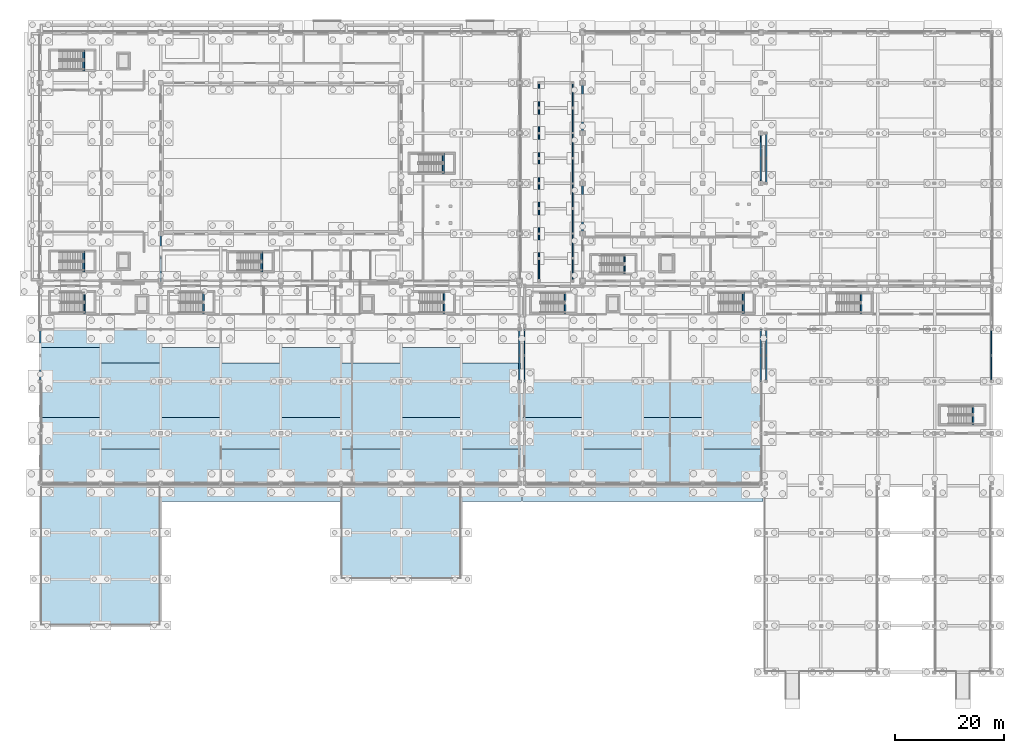
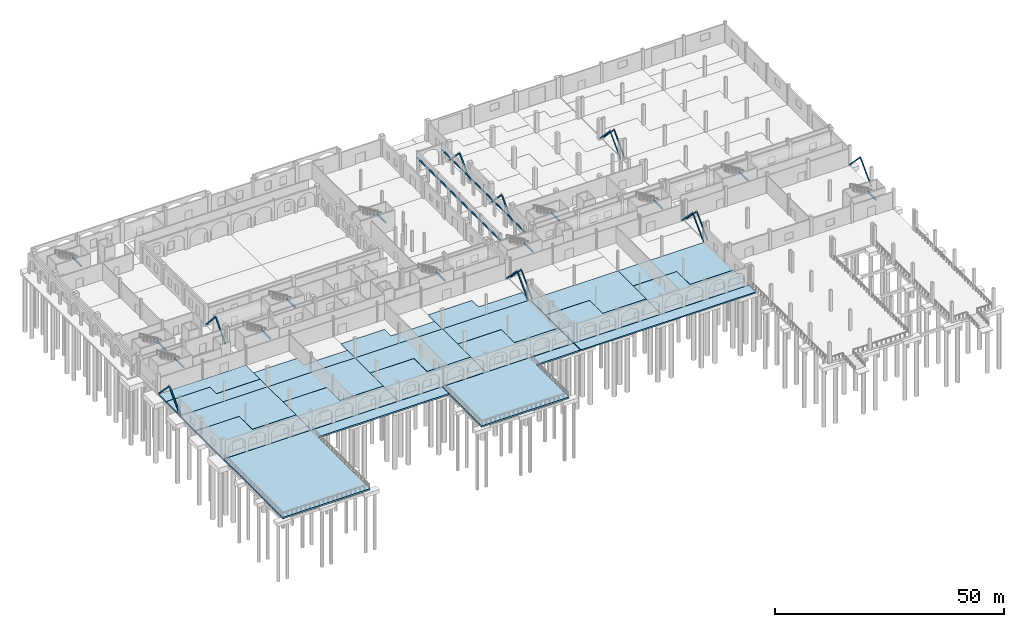
# One storey, part 36 of 83: 28 beams, 22 members, 20 slabs.
"""IFC4 building model written with IfcOpenShell, lengths in metres."""

import ifcopenshell
import ifcopenshell.guid

model = None  # the IFC model being written
_history = None  # IfcOwnerHistory: only IFC2X3 demands one
_inside = {}  # id of a spatial element -> (the spatial element, [elements in it])
_under = {}  # id of a project, library or spatial element -> (it, [spatial elements below it])
_declared = {}  # id of a project -> (the project, [libraries it declares])
_typed = {}  # id of a type object -> (the type object, [elements of that type])
_made_of = {}  # id of a material, layer set ... -> (it, [elements and type objects made of it])


def new_model(schema):
    """Start an empty IFC model of exactly this schema.

    Asked for "IFC4X3", IfcOpenShell would pick the latest addendum, in which some entities
    have other attributes; the version numbers below select the first issue.
    IFC2X3 requires an IfcOwnerHistory on every rooted entity: one is made here for all.
    """
    global model, _history
    if schema == "IFC4X3":
        model = ifcopenshell.file(schema_version=(4, 3, 0, 0))
    else:
        model = ifcopenshell.file(schema=schema)
    _inside.clear()
    _under.clear()
    _declared.clear()
    _typed.clear()
    _made_of.clear()
    _history = None
    if model.schema == "IFC2X3":
        org = make("IfcOrganization", Name="unknown")
        user = make(
            "IfcPersonAndOrganization",
            ThePerson=make("IfcPerson", FamilyName="unknown"),
            TheOrganization=org,
        )
        app = make(
            "IfcApplication",
            ApplicationDeveloper=org,
            Version="unknown",
            ApplicationFullName="unknown",
            ApplicationIdentifier="unknown",
        )
        _history = make(
            "IfcOwnerHistory",
            OwningUser=user,
            OwningApplication=app,
            ChangeAction="ADDED",
            CreationDate=0,
        )
    return model


def make(cls, **values):
    """One entity of the class cls with the attributes given. An attribute that is None is left unset."""
    return model.create_entity(
        cls, **{name: value for name, value in values.items() if value is not None}
    )


def rooted(cls, **values):
    """An entity with a GlobalId (a new one), such as an element, a storey or a relation."""
    return make(cls, GlobalId=ifcopenshell.guid.new(), OwnerHistory=_history, **values)


def si_unit(unit_type, name, prefix=None):
    """IfcSIUnit, for example si_unit("LENGTHUNIT", "METRE", prefix="MILLI")."""
    return make("IfcSIUnit", UnitType=unit_type, Prefix=prefix, Name=name)


def assignment(units):
    """IfcUnitAssignment: the units of a project."""
    return None if units is None else make("IfcUnitAssignment", Units=units)


def point(xyz):
    """IfcCartesianPoint."""
    return None if xyz is None else make("IfcCartesianPoint", Coordinates=xyz)


def direction(xyz):
    """IfcDirection."""
    return None if xyz is None else make("IfcDirection", DirectionRatios=xyz)


def frame(location, z_axis=None, x_axis=None):
    """IfcAxis2Placement3D, a coordinate frame: its origin and axes. An axis left out is left unset."""
    return make(
        "IfcAxis2Placement3D",
        Location=point(location),
        Axis=direction(z_axis),
        RefDirection=direction(x_axis),
    )


def frame_2d(location, x_axis=None):
    """IfcAxis2Placement2D, a coordinate frame in the plane: its origin and x axis."""
    return make(
        "IfcAxis2Placement2D", Location=point(location), RefDirection=direction(x_axis)
    )


def origin():
    """The frame at (0, 0, 0) with its axes left unset."""
    return frame((0.0, 0.0, 0.0))


def origin_2d():
    """The frame at (0, 0) in the plane with its x axis left unset."""
    return frame_2d((0.0, 0.0))


def place(relative_to, where):
    """IfcLocalPlacement: puts the frame where relative to a parent placement (None: the world)."""
    return make(
        "IfcLocalPlacement", PlacementRelTo=relative_to, RelativePlacement=where
    )


def context(
    kind, dimensions, precision=None, world=None, true_north=None, identifier=None
):
    """IfcGeometricRepresentationContext, for example the 3D "Model" context."""
    return make(
        "IfcGeometricRepresentationContext",
        ContextIdentifier=identifier,
        ContextType=kind,
        CoordinateSpaceDimension=dimensions,
        Precision=precision,
        WorldCoordinateSystem=world,
        TrueNorth=true_north,
    )


def subcontext(parent, identifier, kind, view, scale=None):
    """IfcGeometricRepresentationSubContext, for example "Body" below "Model"."""
    return make(
        "IfcGeometricRepresentationSubContext",
        ContextIdentifier=identifier,
        ContextType=kind,
        ParentContext=parent,
        TargetScale=scale,
        TargetView=view,
    )


def project(units=None, contexts=None):
    """IfcProject with its units and contexts."""
    return rooted(
        "IfcProject",
        Name="project",
        RepresentationContexts=contexts,
        UnitsInContext=assignment(units),
    )


def spatial(cls, under=None, at=None, **own):
    """A site, building, storey or space (cls), placed at a placement, below another one or the project."""
    s = rooted(cls, ObjectPlacement=at, **own)
    if under is not None:
        _under.setdefault(under.id(), (under, []))[1].append(s)
    return s


def polyline(points):
    """IfcPolyline through the points."""
    return make("IfcPolyline", Points=[point(p) for p in points])


def profile(cls, at=None, kind="AREA", **sizes):
    """A parametric profile (cls). Its sizes go by their IFC names, for example OverallWidth=200.0."""
    return make(cls, ProfileType=kind, Position=at, **sizes)


def rectangle(**sizes):
    """IfcRectangleProfileDef."""
    return profile("IfcRectangleProfileDef", **sizes)


def hollow_rectangle(**sizes):
    """IfcRectangleHollowProfileDef."""
    return profile("IfcRectangleHollowProfileDef", **sizes)


def outline(outer, holes=None, kind="AREA"):
    """IfcArbitraryClosedProfileDef: a profile drawn as a closed curve; with holes, ...WithVoids."""
    if holes is None:
        return make("IfcArbitraryClosedProfileDef", ProfileType=kind, OuterCurve=outer)
    return make(
        "IfcArbitraryProfileDefWithVoids",
        ProfileType=kind,
        OuterCurve=outer,
        InnerCurves=holes,
    )


def extrude(swept, where, along, depth):
    """IfcExtrudedAreaSolid: the profile swept, set in the frame where, extruded along a direction by depth."""
    return make(
        "IfcExtrudedAreaSolid",
        SweptArea=swept,
        Position=where,
        ExtrudedDirection=direction(along),
        Depth=depth,
    )


def shape(context_of_items, identifier, shape_type, items):
    """IfcShapeRepresentation: the items that make up one representation, for example the "Body"."""
    return make(
        "IfcShapeRepresentation",
        ContextOfItems=context_of_items,
        RepresentationIdentifier=identifier,
        RepresentationType=shape_type,
        Items=items,
    )


def material(Name=None, Category=None):
    """IfcMaterial."""
    return make("IfcMaterial", Name=Name, Category=Category)


def layer(
    of_material, thickness, ventilated=None, Name=None, Category=None, Priority=None
):
    """IfcMaterialLayer: one layer of a wall or slab, of a material (None: an air gap)."""
    return make(
        "IfcMaterialLayer",
        Material=of_material,
        LayerThickness=thickness,
        IsVentilated=ventilated,
        Name=Name,
        Category=Category,
        Priority=Priority,
    )


def layer_set(layers, Name=None):
    """IfcMaterialLayerSet."""
    return make("IfcMaterialLayerSet", MaterialLayers=layers, LayerSetName=Name)


def material_profile(
    of_material, cross_section, Name=None, Category=None, Priority=None
):
    """IfcMaterialProfile: a cross section and its material."""
    return make(
        "IfcMaterialProfile",
        Name=Name,
        Material=of_material,
        Profile=cross_section,
        Priority=Priority,
        Category=Category,
    )


def profile_set(profiles, Name=None, composite=None):
    """IfcMaterialProfileSet."""
    return make(
        "IfcMaterialProfileSet",
        Name=Name,
        MaterialProfiles=profiles,
        CompositeProfile=composite,
    )


def made_of(thing, what):
    """Note that an element or type object is made of a material, layer set ...; save() writes the relation."""
    if what is not None:
        _made_of.setdefault(what.id(), (what, []))[1].append(thing)
    return thing


def type_object(cls, material=None, **own):
    """A type object (cls), such as IfcWallType, which elements share."""
    return made_of(rooted(cls, **own), material)


def element(
    cls,
    number,
    at=None,
    inside=None,
    cuts=None,
    type_object=None,
    material=None,
    context=None,
    identifier="Body",
    shape_type=None,
    held_by="IfcProductDefinitionShape",
    body=None,
    shapes=None,
    **own,
):
    """One element of the class cls, such as IfcWall. Its Tag is "e" and its number.

    at: its placement. inside: the storey or other place that contains it. cuts: it is an
    opening in that element (IfcRelVoidsElement). A single representation is given by context,
    identifier, shape_type and body (its items); several are given by shapes. held_by: the class
    of the entity that holds the representations. save() writes the other relations.
    """
    e = rooted(cls, Tag="e%d" % number, ObjectPlacement=at, **own)
    if body is not None:
        shapes = [shape(context, identifier, shape_type, body)]
    if shapes is not None:
        e.Representation = make(held_by, Representations=shapes)
    if inside is not None:
        _inside.setdefault(inside.id(), (inside, []))[1].append(e)
    if cuts is not None:
        rooted(
            "IfcRelVoidsElement", RelatingBuildingElement=cuts, RelatedOpeningElement=e
        )
    if type_object is not None:
        _typed.setdefault(type_object.id(), (type_object, []))[1].append(e)
    return made_of(e, material)


def aggregate(whole, parts):
    """IfcRelAggregates: a whole, such as a stair, and the parts it consists of."""
    return rooted("IfcRelAggregates", RelatingObject=whole, RelatedObjects=parts)


def save(model, path):
    """Write the relations noted so far, then the file.

    IfcRelAggregates (storeys below a building ...), IfcRelContainedInSpatialStructure (elements
    in a storey), IfcRelDefinesByType, IfcRelAssociatesMaterial and IfcRelDeclares: one each for
    every whole, place, type object, material and project.
    """
    for whole, parts in _under.values():
        aggregate(whole, parts)
    for where, things in _inside.values():
        rooted(
            "IfcRelContainedInSpatialStructure",
            RelatedElements=things,
            RelatingStructure=where,
        )
    for kind, things in _typed.values():
        rooted("IfcRelDefinesByType", RelatedObjects=things, RelatingType=kind)
    for what, things in _made_of.values():
        rooted("IfcRelAssociatesMaterial", RelatedObjects=things, RelatingMaterial=what)
    for by, libraries in _declared.values():
        rooted("IfcRelDeclares", RelatingContext=by, RelatedDefinitions=libraries)
    model.write(path)


model = new_model("IFC4")

# Units and contexts
model_context = context("Model", 3, precision=1e-05, world=origin(), true_north=direction((0.0, 1.0)))
body_context = subcontext(model_context, "Body", "Model", "MODEL_VIEW")
ifc_project = project(units=[si_unit("LENGTHUNIT", "METRE"), si_unit("AREAUNIT", "SQUARE_METRE"), si_unit("VOLUMEUNIT", "CUBIC_METRE"), si_unit("PLANEANGLEUNIT", "RADIAN"), si_unit("MASSUNIT", "GRAM", prefix="KILO")], contexts=[model_context])

# Site, building, storey
site_placement = place(None, origin())
site = spatial("IfcSite", under=ifc_project, at=site_placement, CompositionType="ELEMENT")
building_placement = place(site_placement, origin())
building = spatial("IfcBuilding", under=site, at=building_placement, Name="Caurita Quay Ferry Terminal", CompositionType="ELEMENT")
storey_placement = place(building_placement, origin())
storey = spatial("IfcBuildingStorey", under=building, at=storey_placement, Name="L00", CompositionType="ELEMENT", Elevation=0.0)

# Beams
ifc_material_1 = material(Name="Reinforced concrete C35/45", Category="concrete")
ifc_material_profile_1 = material_profile(ifc_material_1, rectangle(XDim=0.25, YDim=0.300048828125, at=origin_2d()), Name="RC-LN-250X300")
ifc_profile_set_1 = profile_set([ifc_material_profile_1], Name="Reinforced concrete C35/45")
beam_type_1 = type_object("IfcBeamType", Name="LN-RC-2530", PredefinedType="LINTEL", material=ifc_profile_set_1)
beam_1_placement = place(storey_placement, frame((97.39990234375, 71.60009765625, 3.64990234375), z_axis=(0.0, 1.0, 0.0), x_axis=(-1.0, 0.0, 0.0)))
element("IfcBeam", 1, at=beam_1_placement, inside=storey, type_object=beam_type_1, Name="Forecourt Portico Architrave Lintel LNT-09", PredefinedType="LINTEL", context=body_context, shape_type="SweptSolid", body=[
    extrude(rectangle(XDim=0.25, YDim=0.300048828125, at=origin_2d()), origin(), (0.0, 0.0, 1.0), 4.099853515625),
])
beam_2_placement = place(storey_placement, frame((97.39990234375, 75.699951171875, 3.64990234375), z_axis=(0.0, 1.0, 0.0), x_axis=(-1.0, 0.0, 0.0)))
element("IfcBeam", 2, at=beam_2_placement, inside=storey, type_object=beam_type_1, Name="Forecourt Portico Architrave Lintel LNT-10", PredefinedType="LINTEL", context=body_context, shape_type="SweptSolid", body=[
    extrude(rectangle(XDim=0.25, YDim=0.300048828125, at=origin_2d()), origin(), (0.0, 0.0, 1.0), 4.5),
])
beam_3_placement = place(storey_placement, frame((97.39990234375, 80.199951171875, 3.64990234375), z_axis=(0.0, 1.0, 0.0), x_axis=(-1.0, 0.0, 0.0)))
element("IfcBeam", 3, at=beam_3_placement, inside=storey, type_object=beam_type_1, Name="Forecourt Portico Architrave Lintel LNT-11", PredefinedType="LINTEL", context=body_context, shape_type="SweptSolid", body=[
    extrude(rectangle(XDim=0.25, YDim=0.300048828125, at=origin_2d()), origin(), (0.0, 0.0, 1.0), 4.60009765625),
])
beam_4_placement = place(storey_placement, frame((97.39990234375, 84.800048828125, 3.64990234375), z_axis=(0.0, 1.0, 0.0), x_axis=(-1.0, 0.0, 0.0)))
element("IfcBeam", 4, at=beam_4_placement, inside=storey, type_object=beam_type_1, Name="Forecourt Portico Architrave Lintel LNT-12", PredefinedType="LINTEL", context=body_context, shape_type="SweptSolid", body=[
    extrude(rectangle(XDim=0.25, YDim=0.300048828125, at=origin_2d()), origin(), (0.0, 0.0, 1.0), 4.599853515625),
])
for number, where, z_axis, x_axis, name in (
    (5, (97.39990234375, 89.39990234375, 3.64990234375), (0.0, 1.0, 0.0), (-1.0, 0.0, 0.0), "Forecourt Portico Architrave Lintel LNT-13"),
    (6, (97.39990234375, 94.0, 3.64990234375), (0.0, 1.0, 0.0), (-1.0, 0.0, 0.0), "Forecourt Portico Architrave Lintel LNT-14"),
):
    element("IfcBeam", number, at=place(storey_placement, frame(where, z_axis=z_axis, x_axis=x_axis)), inside=storey, type_object=beam_type_1, Name=name, PredefinedType="LINTEL", context=body_context, shape_type="SweptSolid", body=[
        extrude(rectangle(XDim=0.25, YDim=0.300048828125, at=origin_2d()), origin(), (0.0, 0.0, 1.0), 4.60009765625),
    ])
beam_5_placement = place(storey_placement, frame((97.39990234375, 98.60009765625, 3.64990234375), z_axis=(0.0, 1.0, 0.0), x_axis=(-1.0, 0.0, 0.0)))
element("IfcBeam", 7, at=beam_5_placement, inside=storey, type_object=beam_type_1, Name="Forecourt Portico Architrave Lintel LNT-15", PredefinedType="LINTEL", context=body_context, shape_type="SweptSolid", body=[
    extrude(rectangle(XDim=0.25, YDim=0.300048828125, at=origin_2d()), origin(), (0.0, 0.0, 1.0), 4.599853515625),
])
beam_6_placement = place(storey_placement, frame((97.39990234375, 103.199951171875, 3.64990234375), z_axis=(0.0, 1.0, 0.0), x_axis=(-1.0, 0.0, 0.0)))
element("IfcBeam", 8, at=beam_6_placement, inside=storey, type_object=beam_type_1, Name="Forecourt Portico Architrave Lintel LNT-16", PredefinedType="LINTEL", context=body_context, shape_type="SweptSolid", body=[
    extrude(rectangle(XDim=0.25, YDim=0.300048828125, at=origin_2d()), origin(), (0.0, 0.0, 1.0), 4.60009765625),
])
ifc_material_profile_2 = material_profile(ifc_material_1, rectangle(XDim=0.300048828125, YDim=0.35009765625, at=origin_2d()), Name="RC-LN-300X350")
ifc_profile_set_2 = profile_set([ifc_material_profile_2], Name="Reinforced concrete C35/45")
beam_type_2 = type_object("IfcBeamType", Name="LN-RC-3035", PredefinedType="LINTEL", material=ifc_profile_set_2)
for number, where, z_axis, x_axis, name in (
    (9, (7.949951171875, 110.050048828125, 2.52490234375), (0.0, 1.0, 0.0), (-1.0, 0.0, 0.0), "L00 Stair ST-01 Half-Landing Beam 1"),
    (10, (7.949951171875, 73.25, 2.52490234375), (0.0, 1.0, 0.0), (-1.0, 0.0, 0.0), "L00 Stair ST-02 Half-Landing Beam 1"),
):
    element("IfcBeam", number, at=place(storey_placement, frame(where, z_axis=z_axis, x_axis=x_axis)), inside=storey, type_object=beam_type_2, Name=name, PredefinedType="LINTEL", context=body_context, shape_type="SweptSolid", body=[
        extrude(rectangle(XDim=0.300048828125, YDim=0.35009765625, at=origin_2d()), origin(), (0.0, 0.0, 1.0), 3.760009765625),
    ])
for number, where, z_axis, x_axis, name in (
    (11, (40.5, 73.25, 2.52490234375), (0.0, 1.0, 0.0), (-1.0, 0.0, 0.0), "L00 Stair ST-03 Half-Landing Beam 1"),
    (12, (73.699951171875, 91.25, 2.52490234375), (0.0, 1.0, 0.0), (-1.0, 0.0, 0.0), "L00 Stair ST-04 Half-Landing Beam 1"),
):
    element("IfcBeam", number, at=place(storey_placement, frame(where, z_axis=z_axis, x_axis=x_axis)), inside=storey, type_object=beam_type_2, Name=name, PredefinedType="LINTEL", context=body_context, shape_type="SweptSolid", body=[
        extrude(rectangle(XDim=0.300048828125, YDim=0.35009765625, at=origin_2d()), origin(), (0.0, 0.0, 1.0), 3.659912109375),
    ])
for number, where, z_axis, x_axis, name in (
    (13, (8.050048828125, 65.64990234375, 2.52490234375), (0.0, 1.0, 0.0), (-1.0, 0.0, 0.0), "L00 Stair ST-05 Half-Landing Beam 1"),
    (14, (29.85009765625, 65.64990234375, 2.52490234375), (0.0, 1.0, 0.0), (-1.0, 0.0, 0.0), "L00 Stair ST-06 Half-Landing Beam 1"),
    (15, (73.85009765625, 65.64990234375, 2.52490234375), (0.0, 1.0, 0.0), (-1.0, 0.0, 0.0), "L00 Stair ST-07 Half-Landing Beam 1"),
):
    element("IfcBeam", number, at=place(storey_placement, frame(where, z_axis=z_axis, x_axis=x_axis)), inside=storey, type_object=beam_type_2, Name=name, PredefinedType="LINTEL", context=body_context, shape_type="SweptSolid", body=[
        extrude(rectangle(XDim=0.300048828125, YDim=0.35009765625, at=origin_2d()), origin(), (0.0, 0.0, 1.0), 3.960205078125),
    ])
for number, where, z_axis, x_axis, name in (
    (16, (96.0, 65.64990234375, 2.52490234375), (0.0, 1.0, 0.0), (-1.0, 0.0, 0.0), "L00 Stair ST-08 Half-Landing Beam 1"),
    (17, (128.60009765625, 65.64990234375, 2.52490234375), (0.0, 1.0, 0.0), (-1.0, 0.0, 0.0), "L00 Stair ST-09 Half-Landing Beam 1"),
):
    element("IfcBeam", number, at=place(storey_placement, frame(where, z_axis=z_axis, x_axis=x_axis)), inside=storey, type_object=beam_type_2, Name=name, PredefinedType="LINTEL", context=body_context, shape_type="SweptSolid", body=[
        extrude(rectangle(XDim=0.300048828125, YDim=0.35009765625, at=origin_2d()), origin(), (0.0, 0.0, 1.0), 3.860107421875),
    ])
beam_7_placement = place(storey_placement, frame((150.14990234375, 65.64990234375, 2.52490234375), z_axis=(0.0, 1.0, 0.0), x_axis=(-1.0, 0.0, 0.0)))
element("IfcBeam", 18, at=beam_7_placement, inside=storey, type_object=beam_type_2, Name="L00 Stair ST-10 Half-Landing Beam 1", PredefinedType="LINTEL", context=body_context, shape_type="SweptSolid", body=[
    extrude(rectangle(XDim=0.300048828125, YDim=0.35009765625, at=origin_2d()), origin(), (0.0, 0.0, 1.0), 3.760009765625),
])
beam_8_placement = place(storey_placement, frame((170.64990234375, 45.25, 2.52490234375), z_axis=(0.0, 1.0, 0.0), x_axis=(-1.0, 0.0, 0.0)))
element("IfcBeam", 19, at=beam_8_placement, inside=storey, type_object=beam_type_2, Name="L00 Stair ST-11 Half-Landing Beam 1", PredefinedType="LINTEL", context=body_context, shape_type="SweptSolid", body=[
    extrude(rectangle(XDim=0.300048828125, YDim=0.35009765625, at=origin_2d()), origin(), (0.0, 0.0, 1.0), 3.56005859375),
])
beam_9_placement = place(storey_placement, frame((106.85009765625, 72.85009765625, 2.52490234375), z_axis=(0.0, 1.0, 0.0), x_axis=(-1.0, 0.0, 0.0)))
element("IfcBeam", 20, at=beam_9_placement, inside=storey, type_object=beam_type_2, Name="L00 Stair ST-12 Half-Landing Beam 1", PredefinedType="LINTEL", context=body_context, shape_type="SweptSolid", body=[
    extrude(rectangle(XDim=0.300048828125, YDim=0.35009765625, at=origin_2d()), origin(), (0.0, 0.0, 1.0), 3.559814453125),
])
beam_10_placement = place(storey_placement, frame((91.199951171875, 71.60009765625, 3.64990234375), z_axis=(0.0, 1.0, 0.0), x_axis=(-1.0, 0.0, 0.0)))
element("IfcBeam", 21, at=beam_10_placement, inside=storey, type_object=beam_type_2, Name="Forecourt Portico Architrave Lintel LNT-01", PredefinedType="LINTEL", context=body_context, shape_type="SweptSolid", body=[
    extrude(rectangle(XDim=0.300048828125, YDim=0.35009765625, at=origin_2d()), origin(), (0.0, 0.0, 1.0), 4.099853515625),
])
beam_11_placement = place(storey_placement, frame((91.199951171875, 75.699951171875, 3.64990234375), z_axis=(0.0, 1.0, 0.0), x_axis=(-1.0, 0.0, 0.0)))
element("IfcBeam", 22, at=beam_11_placement, inside=storey, type_object=beam_type_2, Name="Forecourt Portico Architrave Lintel LNT-02", PredefinedType="LINTEL", context=body_context, shape_type="SweptSolid", body=[
    extrude(rectangle(XDim=0.300048828125, YDim=0.35009765625, at=origin_2d()), origin(), (0.0, 0.0, 1.0), 4.5),
])
beam_12_placement = place(storey_placement, frame((91.199951171875, 80.199951171875, 3.64990234375), z_axis=(0.0, 1.0, 0.0), x_axis=(-1.0, 0.0, 0.0)))
element("IfcBeam", 23, at=beam_12_placement, inside=storey, type_object=beam_type_2, Name="Forecourt Portico Architrave Lintel LNT-03", PredefinedType="LINTEL", context=body_context, shape_type="SweptSolid", body=[
    extrude(rectangle(XDim=0.300048828125, YDim=0.35009765625, at=origin_2d()), origin(), (0.0, 0.0, 1.0), 4.60009765625),
])
beam_13_placement = place(storey_placement, frame((91.199951171875, 84.800048828125, 3.64990234375), z_axis=(0.0, 1.0, 0.0), x_axis=(-1.0, 0.0, 0.0)))
element("IfcBeam", 24, at=beam_13_placement, inside=storey, type_object=beam_type_2, Name="Forecourt Portico Architrave Lintel LNT-04", PredefinedType="LINTEL", context=body_context, shape_type="SweptSolid", body=[
    extrude(rectangle(XDim=0.300048828125, YDim=0.35009765625, at=origin_2d()), origin(), (0.0, 0.0, 1.0), 4.599853515625),
])
for number, where, z_axis, x_axis, name in (
    (25, (91.199951171875, 89.39990234375, 3.64990234375), (0.0, 1.0, 0.0), (-1.0, 0.0, 0.0), "Forecourt Portico Architrave Lintel LNT-05"),
    (26, (91.199951171875, 94.0, 3.64990234375), (0.0, 1.0, 0.0), (-1.0, 0.0, 0.0), "Forecourt Portico Architrave Lintel LNT-06"),
):
    element("IfcBeam", number, at=place(storey_placement, frame(where, z_axis=z_axis, x_axis=x_axis)), inside=storey, type_object=beam_type_2, Name=name, PredefinedType="LINTEL", context=body_context, shape_type="SweptSolid", body=[
        extrude(rectangle(XDim=0.300048828125, YDim=0.35009765625, at=origin_2d()), origin(), (0.0, 0.0, 1.0), 4.60009765625),
    ])
beam_14_placement = place(storey_placement, frame((91.199951171875, 98.60009765625, 3.64990234375), z_axis=(0.0, 1.0, 0.0), x_axis=(-1.0, 0.0, 0.0)))
element("IfcBeam", 27, at=beam_14_placement, inside=storey, type_object=beam_type_2, Name="Forecourt Portico Architrave Lintel LNT-07", PredefinedType="LINTEL", context=body_context, shape_type="SweptSolid", body=[
    extrude(rectangle(XDim=0.300048828125, YDim=0.35009765625, at=origin_2d()), origin(), (0.0, 0.0, 1.0), 4.599853515625),
])
beam_15_placement = place(storey_placement, frame((91.199951171875, 103.199951171875, 3.64990234375), z_axis=(0.0, 1.0, 0.0), x_axis=(-1.0, 0.0, 0.0)))
element("IfcBeam", 28, at=beam_15_placement, inside=storey, type_object=beam_type_2, Name="Forecourt Portico Architrave Lintel LNT-08", PredefinedType="LINTEL", context=body_context, shape_type="SweptSolid", body=[
    extrude(rectangle(XDim=0.300048828125, YDim=0.35009765625, at=origin_2d()), origin(), (0.0, 0.0, 1.0), 4.60009765625),
])

# Members
ifc_material_2 = material(Name="Hollow structural steel ASTM A500 Gr. C", Category="steel")
ifc_material_profile_3 = material_profile(ifc_material_2, hollow_rectangle(XDim=0.25390625, YDim=0.25390625, WallThickness=0.01171875, InnerFilletRadius=0.01171875, OuterFilletRadius=0.023681640625, at=origin_2d()), Name="HSS10X10X1/2")
ifc_profile_set_3 = profile_set([ifc_material_profile_3], Name="Hollow structural steel ASTM A500 Gr. C")
member_type_1 = type_object("IfcMemberType", Name="MEM-BRC-10", PredefinedType="BRACE", material=ifc_profile_set_3)
for number, where, z_axis, x_axis, name in (
    (29, (132.800048828125, 53.199951171875, 0.1201171875), (0.0, 0.695305929853, 0.718713895727), (-1.0, 0.0, 0.0), "L00 Chevron Seismic Brace 05A"),
    (30, (132.800048828125, 62.699951171875, 0.1201171875), (0.0, -0.695305929853, 0.718713895727), (1.0, 0.0, 0.0), "L00 Chevron Seismic Brace 05B"),
    (31, (174.0, 53.199951171875, 0.1201171875), (0.0, 0.695305929853, 0.718713895727), (-1.0, 0.0, 0.0), "L00 Chevron Seismic Brace 06A"),
    (32, (174.0, 62.699951171875, 0.1201171875), (0.0, -0.695305929853, 0.718713895727), (1.0, 0.0, 0.0), "L00 Chevron Seismic Brace 06B"),
):
    element("IfcMember", number, at=place(storey_placement, frame(where, z_axis=z_axis, x_axis=x_axis)), inside=storey, type_object=member_type_1, Name=name, PredefinedType="BRACE", context=body_context, shape_type="SweptSolid", body=[
        extrude(hollow_rectangle(XDim=0.25390625, YDim=0.25390625, WallThickness=0.01171875, InnerFilletRadius=0.01171875, OuterFilletRadius=0.023681640625, at=origin_2d()), origin(), (0.0, 0.0, 1.0), 6.83154296875),
    ])
for number, where, z_axis, x_axis, name in (
    (33, (132.800048828125, 89.39990234375, 0.1201171875), (0.0, 0.691176003504, 0.722686468795), (-1.0, 0.0, 0.0), "L00 Chevron Seismic Brace 10A"),
    (34, (132.800048828125, 98.60009765625, 0.1201171875), (0.0, -0.691176003504, 0.722686468795), (1.0, 0.0, 0.0), "L00 Chevron Seismic Brace 10B"),
):
    element("IfcMember", number, at=place(storey_placement, frame(where, z_axis=z_axis, x_axis=x_axis)), inside=storey, type_object=member_type_1, Name=name, PredefinedType="BRACE", context=body_context, shape_type="SweptSolid", body=[
        extrude(hollow_rectangle(XDim=0.25390625, YDim=0.25390625, WallThickness=0.01171875, InnerFilletRadius=0.01171875, OuterFilletRadius=0.023681640625, at=origin_2d()), origin(), (0.0, 0.0, 1.0), 6.655517578125),
    ])
ifc_material_profile_4 = material_profile(ifc_material_2, hollow_rectangle(XDim=0.3046875, YDim=0.3046875, WallThickness=0.01171875, InnerFilletRadius=0.01171875, OuterFilletRadius=0.023681640625, at=origin_2d()), Name="HSS12X12X1/2")
ifc_profile_set_4 = profile_set([ifc_material_profile_4], Name="Hollow structural steel ASTM A500 Gr. C")
member_type_2 = type_object("IfcMemberType", Name="MEM-BRC-12", PredefinedType="BRACE", material=ifc_profile_set_4)
for number, where, z_axis, x_axis, name in (
    (35, (0.0, 53.199951171875, 0.1201171875), (0.0, 0.698977215707, 0.715143937905), (-1.0, 0.0, 0.0), "L00 Chevron Seismic Brace 01A"),
    (36, (0.0, 62.699951171875, 0.1201171875), (0.0, -0.698977215707, 0.715143937905), (1.0, 0.0, 0.0), "L00 Chevron Seismic Brace 01B"),
    (37, (87.60009765625, 53.199951171875, 0.1201171875), (0.0, 0.698977215707, 0.715143937905), (-1.0, 0.0, 0.0), "L00 Chevron Seismic Brace 02A"),
    (38, (87.60009765625, 62.699951171875, 0.1201171875), (0.0, -0.698977215707, 0.715143937905), (1.0, 0.0, 0.0), "L00 Chevron Seismic Brace 02B"),
):
    element("IfcMember", number, at=place(storey_placement, frame(where, z_axis=z_axis, x_axis=x_axis)), inside=storey, type_object=member_type_2, Name=name, PredefinedType="BRACE", context=body_context, shape_type="SweptSolid", body=[
        extrude(hollow_rectangle(XDim=0.3046875, YDim=0.3046875, WallThickness=0.01171875, InnerFilletRadius=0.01171875, OuterFilletRadius=0.023681640625, at=origin_2d()), origin(), (0.0, 0.0, 1.0), 6.795654296875),
    ])
member_1_placement = place(storey_placement, frame((99.199951171875, 80.199951171875, 0.1201171875), z_axis=(0.0, 0.691176003504, 0.722686468795), x_axis=(-1.0, 0.0, 0.0)))
element("IfcMember", 39, at=member_1_placement, inside=storey, type_object=member_type_2, Name="L00 Chevron Seismic Brace 07A", PredefinedType="BRACE", context=body_context, shape_type="SweptSolid", body=[
    extrude(hollow_rectangle(XDim=0.3046875, YDim=0.3046875, WallThickness=0.01171875, InnerFilletRadius=0.01171875, OuterFilletRadius=0.023681640625, at=origin_2d()), origin(), (0.0, 0.0, 1.0), 6.655517578125),
])
for number, where, z_axis, x_axis, name in (
    (40, (99.199951171875, 89.39990234375, 0.1201171875), (0.0, -0.691156844276, 0.72270479216), (1.0, 0.0, 0.0), "L00 Chevron Seismic Brace 07B"),
    (41, (99.199951171875, 98.60009765625, 0.1201171875), (0.0, 0.691156844276, 0.72270479216), (-1.0, 0.0, 0.0), "L00 Chevron Seismic Brace 08A"),
):
    element("IfcMember", number, at=place(storey_placement, frame(where, z_axis=z_axis, x_axis=x_axis)), inside=storey, type_object=member_type_2, Name=name, PredefinedType="BRACE", context=body_context, shape_type="SweptSolid", body=[
        extrude(hollow_rectangle(XDim=0.3046875, YDim=0.3046875, WallThickness=0.01171875, InnerFilletRadius=0.01171875, OuterFilletRadius=0.023681640625, at=origin_2d()), origin(), (0.0, 0.0, 1.0), 6.6552734375),
    ])
member_2_placement = place(storey_placement, frame((99.199951171875, 107.800048828125, 0.1201171875), z_axis=(0.0, -0.691176003504, 0.722686468795), x_axis=(1.0, 0.0, 0.0)))
element("IfcMember", 42, at=member_2_placement, inside=storey, type_object=member_type_2, Name="L00 Chevron Seismic Brace 08B", PredefinedType="BRACE", context=body_context, shape_type="SweptSolid", body=[
    extrude(hollow_rectangle(XDim=0.3046875, YDim=0.3046875, WallThickness=0.01171875, InnerFilletRadius=0.01171875, OuterFilletRadius=0.023681640625, at=origin_2d()), origin(), (0.0, 0.0, 1.0), 6.655517578125),
])
for number, where, z_axis, x_axis, name in (
    (43, (22.0, 71.60009765625, 0.1201171875), (0.0, 0.666475119679, 0.745527273041), (-1.0, 0.0, 0.0), "L00 Chevron Seismic Brace 17A"),
    (44, (22.0, 80.199951171875, 0.1201171875), (0.0, -0.666496151938, 0.74550847041), (1.0, 0.0, 0.0), "L00 Chevron Seismic Brace 17B"),
):
    element("IfcMember", number, at=place(storey_placement, frame(where, z_axis=z_axis, x_axis=x_axis)), inside=storey, type_object=member_type_2, Name=name, PredefinedType="BRACE", context=body_context, shape_type="SweptSolid", body=[
        extrude(hollow_rectangle(XDim=0.3046875, YDim=0.3046875, WallThickness=0.01171875, InnerFilletRadius=0.01171875, OuterFilletRadius=0.023681640625, at=origin_2d()), origin(), (0.0, 0.0, 1.0), 6.45166015625),
    ])
ifc_material_profile_5 = material_profile(ifc_material_2, hollow_rectangle(XDim=0.15234375, YDim=0.25390625, WallThickness=0.0087890625, InnerFilletRadius=0.0087890625, OuterFilletRadius=0.017822265625, at=origin_2d()), Name="HSS10X6X3/8")
ifc_profile_set_5 = profile_set([ifc_material_profile_5], Name="Hollow structural steel ASTM A500 Gr. C")
member_type_3 = type_object("IfcMemberType", Name="MEM-BRC-R10", PredefinedType="BRACE", material=ifc_profile_set_5)
for number, where, z_axis, x_axis, name in (
    (45, (131.800048828125, 89.39990234375, 0.1201171875), (0.0, 0.691176003504, 0.722686468795), (-1.0, 0.0, 0.0), "L00 Chevron Seismic Brace 09A"),
    (46, (131.800048828125, 98.60009765625, 0.1201171875), (0.0, -0.691176003504, 0.722686468795), (1.0, 0.0, 0.0), "L00 Chevron Seismic Brace 09B"),
):
    element("IfcMember", number, at=place(storey_placement, frame(where, z_axis=z_axis, x_axis=x_axis)), inside=storey, type_object=member_type_3, Name=name, PredefinedType="BRACE", context=body_context, shape_type="SweptSolid", body=[
        extrude(hollow_rectangle(XDim=0.15234375, YDim=0.25390625, WallThickness=0.0087890625, InnerFilletRadius=0.0087890625, OuterFilletRadius=0.017822265625, at=origin_2d()), origin(), (0.0, 0.0, 1.0), 6.655517578125),
    ])
ifc_material_profile_6 = material_profile(ifc_material_2, hollow_rectangle(XDim=0.202880859375, YDim=0.304931640625, WallThickness=0.01171875, at=origin_2d()), Name="HSS12X8X1/2")
ifc_profile_set_6 = profile_set([ifc_material_profile_6], Name="Hollow structural steel ASTM A500 Gr. C")
member_type_4 = type_object("IfcMemberType", Name="MEM-BRC-R12", PredefinedType="BRACE", material=ifc_profile_set_6)
for number, where, z_axis, x_axis, name in (
    (47, (88.60009765625, 53.199951171875, 0.1201171875), (0.0, 0.698977215707, 0.715143937905), (-1.0, 0.0, 0.0), "L00 Chevron Seismic Brace 03A"),
    (48, (88.60009765625, 62.699951171875, 0.1201171875), (0.0, -0.698977215707, 0.715143937905), (1.0, 0.0, 0.0), "L00 Chevron Seismic Brace 03B"),
    (49, (131.800048828125, 53.199951171875, 0.1201171875), (0.0, 0.698977215707, 0.715143937905), (-1.0, 0.0, 0.0), "L00 Chevron Seismic Brace 04A"),
    (50, (131.800048828125, 62.699951171875, 0.1201171875), (0.0, -0.698977215707, 0.715143937905), (1.0, 0.0, 0.0), "L00 Chevron Seismic Brace 04B"),
):
    element("IfcMember", number, at=place(storey_placement, frame(where, z_axis=z_axis, x_axis=x_axis)), inside=storey, type_object=member_type_4, Name=name, PredefinedType="BRACE", context=body_context, shape_type="SweptSolid", body=[
        extrude(hollow_rectangle(XDim=0.202880859375, YDim=0.304931640625, WallThickness=0.01171875, at=origin_2d()), origin(), (0.0, 0.0, 1.0), 6.795654296875),
    ])

# Slabs
ifc_material_3 = material(Name="Marine reinforced concrete C40/50", Category="concrete")
ifc_layer_1 = layer(ifc_material_3, 0.340087890625, Name="Reinforced concrete baseslab slab 340 mm")
ifc_layer_set_1 = layer_set([ifc_layer_1], Name="Marine reinforced concrete C40/50")
slab_type_1 = type_object("IfcSlabType", Name="SLB-QUAY-340", PredefinedType="BASESLAB", material=ifc_layer_set_1)
slab_1_placement = place(storey_placement, frame((0.0, 0.0, -0.340087890625)))
element("IfcSlab", 51, at=slab_1_placement, inside=storey, type_object=slab_type_1, Name="L00 V2-QWLK Slab 01", PredefinedType="BASESLAB", context=body_context, shape_type="SweptSolid", body=[
    extrude(outline(polyline([(88.199951171875, 31.199951171875), (132.199951171875, 31.199951171875), (132.199951171875, 34.179931640625), (88.199951171875, 34.179931640625), (88.199951171875, 31.199951171875)])), origin(), (0.0, 0.0, 1.0), 0.340087890625),
])
ifc_layer_2 = layer(ifc_material_3, 0.39990234375, Name="Reinforced concrete baseslab slab 400 mm")
ifc_layer_set_2 = layer_set([ifc_layer_2], Name="Marine reinforced concrete C40/50")
slab_type_2 = type_object("IfcSlabType", Name="SLB-QUAY-400", PredefinedType="BASESLAB", material=ifc_layer_set_2)
slab_2_placement = place(storey_placement, frame((0.0, 0.0, -0.39990234375)))
element("IfcSlab", 52, at=slab_2_placement, inside=storey, type_object=slab_type_2, Name="L00 V1-BASE Slab 01A", PredefinedType="BASESLAB", context=body_context, shape_type="SweptSolid", body=[
    extrude(outline(polyline([(0.0, 53.199951171875), (22.0, 53.199951171875), (22.0, 56.510009765625), (10.985107421875, 56.510009765625), (10.985107421875, 59.360107421875), (0.0, 59.360107421875), (0.0, 53.199951171875)])), origin(), (0.0, 0.0, 1.0), 0.39990234375),
])
slab_3_placement = place(storey_placement, frame((0.0, 0.0, -0.39990234375)))
element("IfcSlab", 53, at=slab_3_placement, inside=storey, type_object=slab_type_2, Name="L00 V1-BASE Slab 01B", PredefinedType="BASESLAB", context=body_context, shape_type="SweptSolid", body=[
    extrude(outline(polyline([(11.014892578125, 56.5400390625), (22.0, 56.5400390625), (22.0, 62.699951171875), (0.0, 62.699951171875), (0.0, 59.389892578125), (11.014892578125, 59.389892578125), (11.014892578125, 56.5400390625)])), origin(), (0.0, 0.0, 1.0), 0.39990234375),
])
slab_4_placement = place(storey_placement, frame((0.0, 0.0, -0.39990234375)))
element("IfcSlab", 54, at=slab_4_placement, inside=storey, type_object=slab_type_2, Name="L00 V1-BASE Slab 03A", PredefinedType="BASESLAB", context=body_context, shape_type="SweptSolid", body=[
    extrude(outline(polyline([(22.0, 53.199951171875), (44.0, 53.199951171875), (44.0, 56.510009765625), (32.985107421875, 56.510009765625), (32.985107421875, 59.360107421875), (22.0, 59.360107421875), (22.0, 53.199951171875)])), origin(), (0.0, 0.0, 1.0), 0.39990234375),
])
slab_5_placement = place(storey_placement, frame((0.0, 0.0, -0.39990234375)))
element("IfcSlab", 55, at=slab_5_placement, inside=storey, type_object=slab_type_2, Name="L00 V1-BASE Slab 05A", PredefinedType="BASESLAB", context=body_context, shape_type="SweptSolid", body=[
    extrude(outline(polyline([(44.0, 53.199951171875), (66.0, 53.199951171875), (66.0, 56.510009765625), (54.985107421875, 56.510009765625), (54.985107421875, 59.360107421875), (44.0, 59.360107421875), (44.0, 53.199951171875)])), origin(), (0.0, 0.0, 1.0), 0.39990234375),
])
slab_6_placement = place(storey_placement, frame((0.0, 0.0, -0.39990234375)))
element("IfcSlab", 56, at=slab_6_placement, inside=storey, type_object=slab_type_2, Name="L00 V1-BASE Slab 07A", PredefinedType="BASESLAB", context=body_context, shape_type="SweptSolid", body=[
    extrude(outline(polyline([(66.0, 53.199951171875), (88.0, 53.199951171875), (88.0, 56.510009765625), (76.985107421875, 56.510009765625), (76.985107421875, 59.360107421875), (66.0, 59.360107421875), (66.0, 53.199951171875)])), origin(), (0.0, 0.0, 1.0), 0.39990234375),
])
slab_7_placement = place(storey_placement, frame((0.0, 0.0, -0.39990234375)))
element("IfcSlab", 57, at=slab_7_placement, inside=storey, type_object=slab_type_2, Name="L00 V1-HALL0 Slab 01A", PredefinedType="BASESLAB", context=body_context, shape_type="SweptSolid", body=[
    extrude(outline(polyline([(0.0, 34.199951171875), (22.0, 34.199951171875), (22.0, 40.8349609375), (10.985107421875, 40.8349609375), (10.985107421875, 46.534912109375), (0.0, 46.534912109375), (0.0, 34.199951171875)])), origin(), (0.0, 0.0, 1.0), 0.39990234375),
])
slab_8_placement = place(storey_placement, frame((0.0, 0.0, -0.39990234375)))
element("IfcSlab", 58, at=slab_8_placement, inside=storey, type_object=slab_type_2, Name="L00 V1-HALL0 Slab 01B", PredefinedType="BASESLAB", context=body_context, shape_type="SweptSolid", body=[
    extrude(outline(polyline([(11.014892578125, 40.864990234375), (22.0, 40.864990234375), (22.0, 53.199951171875), (0.0, 53.199951171875), (0.0, 46.56494140625), (11.014892578125, 46.56494140625), (11.014892578125, 40.864990234375)])), origin(), (0.0, 0.0, 1.0), 0.39990234375),
])
slab_9_placement = place(storey_placement, frame((0.0, 0.0, -0.39990234375)))
element("IfcSlab", 59, at=slab_9_placement, inside=storey, type_object=slab_type_2, Name="L00 V1-HALL0 Slab 02A", PredefinedType="BASESLAB", context=body_context, shape_type="SweptSolid", body=[
    extrude(outline(polyline([(22.0, 34.199951171875), (44.0, 34.199951171875), (44.0, 40.8349609375), (32.985107421875, 40.8349609375), (32.985107421875, 46.534912109375), (22.0, 46.534912109375), (22.0, 34.199951171875)])), origin(), (0.0, 0.0, 1.0), 0.39990234375),
])
slab_10_placement = place(storey_placement, frame((0.0, 0.0, -0.39990234375)))
element("IfcSlab", 60, at=slab_10_placement, inside=storey, type_object=slab_type_2, Name="L00 V1-HALL0 Slab 02B", PredefinedType="BASESLAB", context=body_context, shape_type="SweptSolid", body=[
    extrude(outline(polyline([(33.014892578125, 40.864990234375), (44.0, 40.864990234375), (44.0, 53.199951171875), (22.0, 53.199951171875), (22.0, 46.56494140625), (33.014892578125, 46.56494140625), (33.014892578125, 40.864990234375)])), origin(), (0.0, 0.0, 1.0), 0.39990234375),
])
slab_11_placement = place(storey_placement, frame((0.0, 0.0, -0.39990234375)))
element("IfcSlab", 61, at=slab_11_placement, inside=storey, type_object=slab_type_2, Name="L00 V1-HALL0 Slab 03A", PredefinedType="BASESLAB", context=body_context, shape_type="SweptSolid", body=[
    extrude(outline(polyline([(44.0, 34.199951171875), (66.0, 34.199951171875), (66.0, 40.8349609375), (54.985107421875, 40.8349609375), (54.985107421875, 46.534912109375), (44.0, 46.534912109375), (44.0, 34.199951171875)])), origin(), (0.0, 0.0, 1.0), 0.39990234375),
])
slab_12_placement = place(storey_placement, frame((0.0, 0.0, -0.39990234375)))
element("IfcSlab", 62, at=slab_12_placement, inside=storey, type_object=slab_type_2, Name="L00 V1-HALL0 Slab 03B", PredefinedType="BASESLAB", context=body_context, shape_type="SweptSolid", body=[
    extrude(outline(polyline([(55.014892578125, 40.864990234375), (66.0, 40.864990234375), (66.0, 53.199951171875), (44.0, 53.199951171875), (44.0, 46.56494140625), (55.014892578125, 46.56494140625), (55.014892578125, 40.864990234375)])), origin(), (0.0, 0.0, 1.0), 0.39990234375),
])
slab_13_placement = place(storey_placement, frame((0.0, 0.0, -0.39990234375)))
element("IfcSlab", 63, at=slab_13_placement, inside=storey, type_object=slab_type_2, Name="L00 V1-HALL0 Slab 04A", PredefinedType="BASESLAB", context=body_context, shape_type="SweptSolid", body=[
    extrude(outline(polyline([(66.0, 34.199951171875), (88.0, 34.199951171875), (88.0, 40.8349609375), (76.985107421875, 40.8349609375), (76.985107421875, 46.534912109375), (66.0, 46.534912109375), (66.0, 34.199951171875)])), origin(), (0.0, 0.0, 1.0), 0.39990234375),
])
slab_14_placement = place(storey_placement, frame((0.0, 0.0, -0.39990234375)))
element("IfcSlab", 64, at=slab_14_placement, inside=storey, type_object=slab_type_2, Name="L00 V1-HALL0 Slab 04B", PredefinedType="BASESLAB", context=body_context, shape_type="SweptSolid", body=[
    extrude(outline(polyline([(77.014892578125, 40.864990234375), (88.0, 40.864990234375), (88.0, 53.199951171875), (66.0, 53.199951171875), (66.0, 46.56494140625), (77.014892578125, 46.56494140625), (77.014892578125, 40.864990234375)])), origin(), (0.0, 0.0, 1.0), 0.39990234375),
])
slab_15_placement = place(storey_placement, frame((0.0, 0.0, -0.39990234375)))
element("IfcSlab", 65, at=slab_15_placement, inside=storey, type_object=slab_type_2, Name="West Quay Pier and Apron Deck", PredefinedType="BASESLAB", context=body_context, shape_type="SweptSolid", body=[
    extrude(outline(polyline([(0.0, 8.5), (22.0, 8.5), (22.0, 31.199951171875), (54.949951171875, 31.199951171875), (54.949951171875, 34.179931640625), (0.0, 34.179931640625), (0.0, 8.5)])), origin(), (0.0, 0.0, 1.0), 0.39990234375),
])
slab_16_placement = place(storey_placement, frame((0.0, 0.0, -0.39990234375)))
element("IfcSlab", 66, at=slab_16_placement, inside=storey, type_object=slab_type_2, Name="Central Quay Pier and Apron Deck", PredefinedType="BASESLAB", context=body_context, shape_type="SweptSolid", body=[
    extrude(outline(polyline([(55.0, 17.0), (77.0, 17.0), (77.0, 31.199951171875), (88.0, 31.199951171875), (88.0, 34.179931640625), (55.0, 34.179931640625), (55.0, 17.0)])), origin(), (0.0, 0.0, 1.0), 0.39990234375),
])
slab_17_placement = place(storey_placement, frame((0.0, 0.0, -0.39990234375)))
element("IfcSlab", 67, at=slab_17_placement, inside=storey, type_object=slab_type_2, Name="L00 V2-BASE Slab 01A", PredefinedType="BASESLAB", context=body_context, shape_type="SweptSolid", body=[
    extrude(outline(polyline([(88.199951171875, 34.199951171875), (110.199951171875, 34.199951171875), (110.199951171875, 40.8349609375), (99.18505859375, 40.8349609375), (99.18505859375, 46.534912109375), (88.199951171875, 46.534912109375), (88.199951171875, 34.199951171875)])), origin(), (0.0, 0.0, 1.0), 0.39990234375),
])
slab_18_placement = place(storey_placement, frame((0.0, 0.0, -0.39990234375)))
element("IfcSlab", 68, at=slab_18_placement, inside=storey, type_object=slab_type_2, Name="L00 V2-BASE Slab 01B", PredefinedType="BASESLAB", context=body_context, shape_type="SweptSolid", body=[
    extrude(outline(polyline([(99.215087890625, 40.864990234375), (110.199951171875, 40.864990234375), (110.199951171875, 53.199951171875), (88.199951171875, 53.199951171875), (88.199951171875, 46.56494140625), (99.215087890625, 46.56494140625), (99.215087890625, 40.864990234375)])), origin(), (0.0, 0.0, 1.0), 0.39990234375),
])
slab_19_placement = place(storey_placement, frame((0.0, 0.0, -0.39990234375)))
element("IfcSlab", 69, at=slab_19_placement, inside=storey, type_object=slab_type_2, Name="L00 V2-BASE Slab 03A", PredefinedType="BASESLAB", context=body_context, shape_type="SweptSolid", body=[
    extrude(outline(polyline([(110.199951171875, 34.199951171875), (132.199951171875, 34.199951171875), (132.199951171875, 40.8349609375), (121.18505859375, 40.8349609375), (121.18505859375, 46.534912109375), (110.199951171875, 46.534912109375), (110.199951171875, 34.199951171875)])), origin(), (0.0, 0.0, 1.0), 0.39990234375),
])
slab_20_placement = place(storey_placement, frame((0.0, 0.0, -0.39990234375)))
element("IfcSlab", 70, at=slab_20_placement, inside=storey, type_object=slab_type_2, Name="L00 V2-BASE Slab 03B", PredefinedType="BASESLAB", context=body_context, shape_type="SweptSolid", body=[
    extrude(outline(polyline([(121.215087890625, 40.864990234375), (132.199951171875, 40.864990234375), (132.199951171875, 53.199951171875), (110.199951171875, 53.199951171875), (110.199951171875, 46.56494140625), (121.215087890625, 46.56494140625), (121.215087890625, 40.864990234375)])), origin(), (0.0, 0.0, 1.0), 0.39990234375),
])

save(model, "model.ifc")
